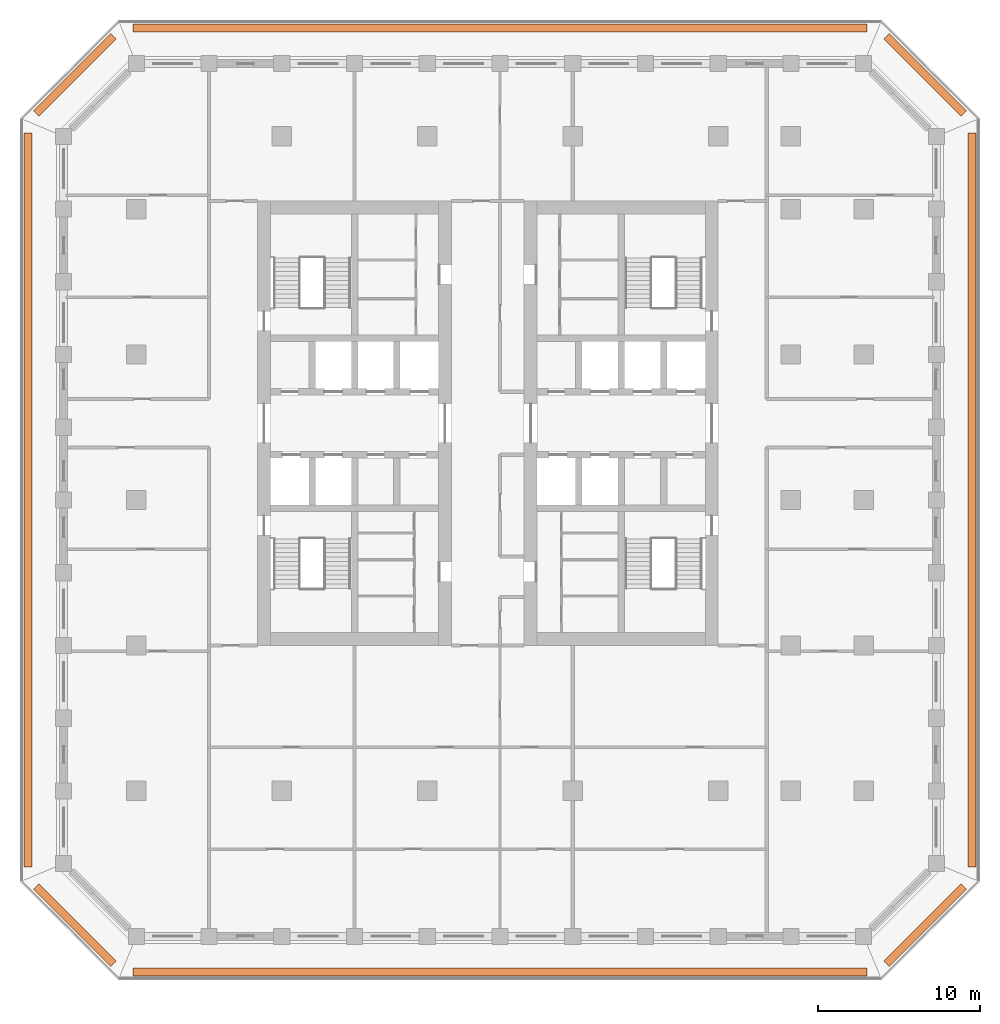
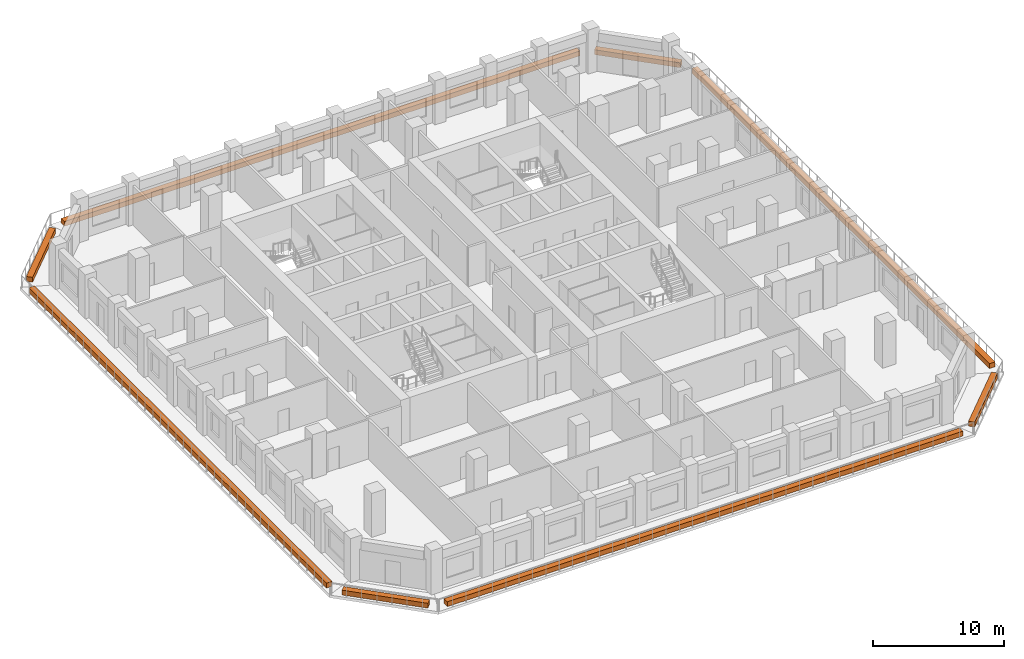
# One storey, part 16 of 16: 8 proxies.
"""IFC4 building model written with IfcOpenShell, lengths in metres."""

import ifcopenshell
import ifcopenshell.guid

model = None  # the IFC model being written
_history = None  # IfcOwnerHistory: only IFC2X3 demands one
_inside = {}  # id of a spatial element -> (the spatial element, [elements in it])
_under = {}  # id of a project, library or spatial element -> (it, [spatial elements below it])
_declared = {}  # id of a project -> (the project, [libraries it declares])
_typed = {}  # id of a type object -> (the type object, [elements of that type])
_made_of = {}  # id of a material, layer set ... -> (it, [elements and type objects made of it])


def new_model(schema):
    """Start an empty IFC model of exactly this schema.

    Asked for "IFC4X3", IfcOpenShell would pick the latest addendum, in which some entities
    have other attributes; the version numbers below select the first issue.
    IFC2X3 requires an IfcOwnerHistory on every rooted entity: one is made here for all.
    """
    global model, _history
    if schema == "IFC4X3":
        model = ifcopenshell.file(schema_version=(4, 3, 0, 0))
    else:
        model = ifcopenshell.file(schema=schema)
    _inside.clear()
    _under.clear()
    _declared.clear()
    _typed.clear()
    _made_of.clear()
    _history = None
    if model.schema == "IFC2X3":
        org = make("IfcOrganization", Name="unknown")
        user = make(
            "IfcPersonAndOrganization",
            ThePerson=make("IfcPerson", FamilyName="unknown"),
            TheOrganization=org,
        )
        app = make(
            "IfcApplication",
            ApplicationDeveloper=org,
            Version="unknown",
            ApplicationFullName="unknown",
            ApplicationIdentifier="unknown",
        )
        _history = make(
            "IfcOwnerHistory",
            OwningUser=user,
            OwningApplication=app,
            ChangeAction="ADDED",
            CreationDate=0,
        )
    return model


def make(cls, **values):
    """One entity of the class cls with the attributes given. An attribute that is None is left unset."""
    return model.create_entity(
        cls, **{name: value for name, value in values.items() if value is not None}
    )


def rooted(cls, **values):
    """An entity with a GlobalId (a new one), such as an element, a storey or a relation."""
    return make(cls, GlobalId=ifcopenshell.guid.new(), OwnerHistory=_history, **values)


def si_unit(unit_type, name, prefix=None):
    """IfcSIUnit, for example si_unit("LENGTHUNIT", "METRE", prefix="MILLI")."""
    return make("IfcSIUnit", UnitType=unit_type, Prefix=prefix, Name=name)


def assignment(units):
    """IfcUnitAssignment: the units of a project."""
    return None if units is None else make("IfcUnitAssignment", Units=units)


def point(xyz):
    """IfcCartesianPoint."""
    return None if xyz is None else make("IfcCartesianPoint", Coordinates=xyz)


def direction(xyz):
    """IfcDirection."""
    return None if xyz is None else make("IfcDirection", DirectionRatios=xyz)


def frame(location, z_axis=None, x_axis=None):
    """IfcAxis2Placement3D, a coordinate frame: its origin and axes. An axis left out is left unset."""
    return make(
        "IfcAxis2Placement3D",
        Location=point(location),
        Axis=direction(z_axis),
        RefDirection=direction(x_axis),
    )


def frame_2d(location, x_axis=None):
    """IfcAxis2Placement2D, a coordinate frame in the plane: its origin and x axis."""
    return make(
        "IfcAxis2Placement2D", Location=point(location), RefDirection=direction(x_axis)
    )


def origin():
    """The frame at (0, 0, 0) with its axes left unset."""
    return frame((0.0, 0.0, 0.0))


def origin_2d():
    """The frame at (0, 0) in the plane with its x axis left unset."""
    return frame_2d((0.0, 0.0))


def place(relative_to, where):
    """IfcLocalPlacement: puts the frame where relative to a parent placement (None: the world)."""
    return make(
        "IfcLocalPlacement", PlacementRelTo=relative_to, RelativePlacement=where
    )


def context(
    kind, dimensions, precision=None, world=None, true_north=None, identifier=None
):
    """IfcGeometricRepresentationContext, for example the 3D "Model" context."""
    return make(
        "IfcGeometricRepresentationContext",
        ContextIdentifier=identifier,
        ContextType=kind,
        CoordinateSpaceDimension=dimensions,
        Precision=precision,
        WorldCoordinateSystem=world,
        TrueNorth=true_north,
    )


def subcontext(parent, identifier, kind, view, scale=None):
    """IfcGeometricRepresentationSubContext, for example "Body" below "Model"."""
    return make(
        "IfcGeometricRepresentationSubContext",
        ContextIdentifier=identifier,
        ContextType=kind,
        ParentContext=parent,
        TargetScale=scale,
        TargetView=view,
    )


def project(units=None, contexts=None):
    """IfcProject with its units and contexts."""
    return rooted(
        "IfcProject",
        Name="project",
        RepresentationContexts=contexts,
        UnitsInContext=assignment(units),
    )


def spatial(cls, under=None, at=None, **own):
    """A site, building, storey or space (cls), placed at a placement, below another one or the project."""
    s = rooted(cls, ObjectPlacement=at, **own)
    if under is not None:
        _under.setdefault(under.id(), (under, []))[1].append(s)
    return s


def profile(cls, at=None, kind="AREA", **sizes):
    """A parametric profile (cls). Its sizes go by their IFC names, for example OverallWidth=200.0."""
    return make(cls, ProfileType=kind, Position=at, **sizes)


def rectangle(**sizes):
    """IfcRectangleProfileDef."""
    return profile("IfcRectangleProfileDef", **sizes)


def extrude(swept, where, along, depth):
    """IfcExtrudedAreaSolid: the profile swept, set in the frame where, extruded along a direction by depth."""
    return make(
        "IfcExtrudedAreaSolid",
        SweptArea=swept,
        Position=where,
        ExtrudedDirection=direction(along),
        Depth=depth,
    )


def shape(context_of_items, identifier, shape_type, items):
    """IfcShapeRepresentation: the items that make up one representation, for example the "Body"."""
    return make(
        "IfcShapeRepresentation",
        ContextOfItems=context_of_items,
        RepresentationIdentifier=identifier,
        RepresentationType=shape_type,
        Items=items,
    )


def material(Name=None, Category=None):
    """IfcMaterial."""
    return make("IfcMaterial", Name=Name, Category=Category)


def made_of(thing, what):
    """Note that an element or type object is made of a material, layer set ...; save() writes the relation."""
    if what is not None:
        _made_of.setdefault(what.id(), (what, []))[1].append(thing)
    return thing


def type_object(cls, material=None, **own):
    """A type object (cls), such as IfcWallType, which elements share."""
    return made_of(rooted(cls, **own), material)


def element(
    cls,
    number,
    at=None,
    inside=None,
    cuts=None,
    type_object=None,
    material=None,
    context=None,
    identifier="Body",
    shape_type=None,
    held_by="IfcProductDefinitionShape",
    body=None,
    shapes=None,
    **own,
):
    """One element of the class cls, such as IfcWall. Its Tag is "e" and its number.

    at: its placement. inside: the storey or other place that contains it. cuts: it is an
    opening in that element (IfcRelVoidsElement). A single representation is given by context,
    identifier, shape_type and body (its items); several are given by shapes. held_by: the class
    of the entity that holds the representations. save() writes the other relations.
    """
    e = rooted(cls, Tag="e%d" % number, ObjectPlacement=at, **own)
    if body is not None:
        shapes = [shape(context, identifier, shape_type, body)]
    if shapes is not None:
        e.Representation = make(held_by, Representations=shapes)
    if inside is not None:
        _inside.setdefault(inside.id(), (inside, []))[1].append(e)
    if cuts is not None:
        rooted(
            "IfcRelVoidsElement", RelatingBuildingElement=cuts, RelatedOpeningElement=e
        )
    if type_object is not None:
        _typed.setdefault(type_object.id(), (type_object, []))[1].append(e)
    return made_of(e, material)


def aggregate(whole, parts):
    """IfcRelAggregates: a whole, such as a stair, and the parts it consists of."""
    return rooted("IfcRelAggregates", RelatingObject=whole, RelatedObjects=parts)


def save(model, path):
    """Write the relations noted so far, then the file.

    IfcRelAggregates (storeys below a building ...), IfcRelContainedInSpatialStructure (elements
    in a storey), IfcRelDefinesByType, IfcRelAssociatesMaterial and IfcRelDeclares: one each for
    every whole, place, type object, material and project.
    """
    for whole, parts in _under.values():
        aggregate(whole, parts)
    for where, things in _inside.values():
        rooted(
            "IfcRelContainedInSpatialStructure",
            RelatedElements=things,
            RelatingStructure=where,
        )
    for kind, things in _typed.values():
        rooted("IfcRelDefinesByType", RelatedObjects=things, RelatingType=kind)
    for what, things in _made_of.values():
        rooted("IfcRelAssociatesMaterial", RelatedObjects=things, RelatingMaterial=what)
    for by, libraries in _declared.values():
        rooted("IfcRelDeclares", RelatingContext=by, RelatedDefinitions=libraries)
    model.write(path)


model = new_model("IFC4")

# Units and contexts
model_context = context("Model", 3, precision=1e-05, world=origin(), true_north=direction((0.0, 1.0)))
body_context = subcontext(model_context, "Body", "Model", "MODEL_VIEW")
ifc_project = project(units=[si_unit("LENGTHUNIT", "METRE"), si_unit("AREAUNIT", "SQUARE_METRE"), si_unit("VOLUMEUNIT", "CUBIC_METRE"), si_unit("PLANEANGLEUNIT", "RADIAN"), si_unit("MASSUNIT", "GRAM", prefix="KILO")], contexts=[model_context])

# Site, building, storey
site_placement = place(None, origin())
site = spatial("IfcSite", under=ifc_project, at=site_placement, CompositionType="ELEMENT")
building_placement = place(site_placement, origin())
building = spatial("IfcBuilding", under=site, at=building_placement, Name="Corbel Stack Research Tower", CompositionType="ELEMENT")
storey_placement = place(building_placement, frame((0.0, 0.0, 212.0)))
storey = spatial("IfcBuildingStorey", under=building, at=storey_placement, Name="L48", CompositionType="ELEMENT", Elevation=212.0)

# Proxies
ifc_material = material(Name="Concrete C45/55", Category="concrete")
building_element_proxy_type = type_object("IfcBuildingElementProxyType", Name="Planter box", PredefinedType="USERDEFINED", material=ifc_material)
proxy_1_placement = place(storey_placement, frame((4.5, -29.199951171875, 0.0), z_axis=(0.0, 0.0, 1.0), x_axis=(1.0, 0.0, 0.0)))
element("IfcBuildingElementProxy", 1, at=proxy_1_placement, inside=storey, type_object=building_element_proxy_type, Name="Planter L48 S", ObjectType="PLANTER", PredefinedType="USERDEFINED", context=body_context, shape_type="SweptSolid", body=[
    extrude(rectangle(XDim=45.41064453125, YDim=0.5, at=origin_2d()), origin(), (0.0, 0.0, 1.0), 0.449951171875),
])
proxy_2_placement = place(storey_placement, frame((30.8056640625, -26.3056640625, 0.0), z_axis=(0.0, 0.0, 1.0), x_axis=(0.707106781187, 0.707106781187, 0.0)))
element("IfcBuildingElementProxy", 2, at=proxy_2_placement, inside=storey, type_object=building_element_proxy_type, Name="Planter L48 SE", ObjectType="PLANTER", PredefinedType="USERDEFINED", context=body_context, shape_type="SweptSolid", body=[
    extrude(rectangle(XDim=6.774658203125, YDim=0.5, at=origin_2d()), origin(), (0.0, 0.0, 1.0), 0.449951171875),
])
proxy_3_placement = place(storey_placement, frame((33.699951171875, 0.0, 0.0), z_axis=(0.0, 0.0, 1.0), x_axis=(0.0, 1.0, 0.0)))
element("IfcBuildingElementProxy", 3, at=proxy_3_placement, inside=storey, type_object=building_element_proxy_type, Name="Planter L48 E", ObjectType="PLANTER", PredefinedType="USERDEFINED", context=body_context, shape_type="SweptSolid", body=[
    extrude(rectangle(XDim=45.41064453125, YDim=0.5, at=origin_2d()), origin(), (0.0, 0.0, 1.0), 0.449951171875),
])
proxy_4_placement = place(storey_placement, frame((30.8056640625, 26.3056640625, 0.0), z_axis=(0.0, 0.0, 1.0), x_axis=(-0.707106781187, 0.707106781187, 0.0)))
element("IfcBuildingElementProxy", 4, at=proxy_4_placement, inside=storey, type_object=building_element_proxy_type, Name="Planter L48 NE", ObjectType="PLANTER", PredefinedType="USERDEFINED", context=body_context, shape_type="SweptSolid", body=[
    extrude(rectangle(XDim=6.774658203125, YDim=0.5, at=origin_2d()), origin(), (0.0, 0.0, 1.0), 0.449951171875),
])
proxy_5_placement = place(storey_placement, frame((4.5, 29.199951171875, 0.0), z_axis=(0.0, 0.0, 1.0), x_axis=(-1.0, 0.0, 0.0)))
element("IfcBuildingElementProxy", 5, at=proxy_5_placement, inside=storey, type_object=building_element_proxy_type, Name="Planter L48 N", ObjectType="PLANTER", PredefinedType="USERDEFINED", context=body_context, shape_type="SweptSolid", body=[
    extrude(rectangle(XDim=45.41064453125, YDim=0.5, at=origin_2d()), origin(), (0.0, 0.0, 1.0), 0.449951171875),
])
proxy_6_placement = place(storey_placement, frame((-21.8056640625, 26.3056640625, 0.0), z_axis=(0.0, 0.0, 1.0), x_axis=(-0.707106781187, -0.707106781187, 0.0)))
element("IfcBuildingElementProxy", 6, at=proxy_6_placement, inside=storey, type_object=building_element_proxy_type, Name="Planter L48 NW", ObjectType="PLANTER", PredefinedType="USERDEFINED", context=body_context, shape_type="SweptSolid", body=[
    extrude(rectangle(XDim=6.774658203125, YDim=0.5, at=origin_2d()), origin(), (0.0, 0.0, 1.0), 0.449951171875),
])
proxy_7_placement = place(storey_placement, frame((-24.699951171875, 0.0, 0.0), z_axis=(0.0, 0.0, 1.0), x_axis=(0.0, -1.0, 0.0)))
element("IfcBuildingElementProxy", 7, at=proxy_7_placement, inside=storey, type_object=building_element_proxy_type, Name="Planter L48 W", ObjectType="PLANTER", PredefinedType="USERDEFINED", context=body_context, shape_type="SweptSolid", body=[
    extrude(rectangle(XDim=45.41064453125, YDim=0.5, at=origin_2d()), origin(), (0.0, 0.0, 1.0), 0.449951171875),
])
proxy_8_placement = place(storey_placement, frame((-21.8056640625, -26.3056640625, 0.0), z_axis=(0.0, 0.0, 1.0), x_axis=(0.707106781187, -0.707106781187, 0.0)))
element("IfcBuildingElementProxy", 8, at=proxy_8_placement, inside=storey, type_object=building_element_proxy_type, Name="Planter L48 SW", ObjectType="PLANTER", PredefinedType="USERDEFINED", context=body_context, shape_type="SweptSolid", body=[
    extrude(rectangle(XDim=6.774658203125, YDim=0.5, at=origin_2d()), origin(), (0.0, 0.0, 1.0), 0.449951171875),
])

save(model, "model.ifc")
